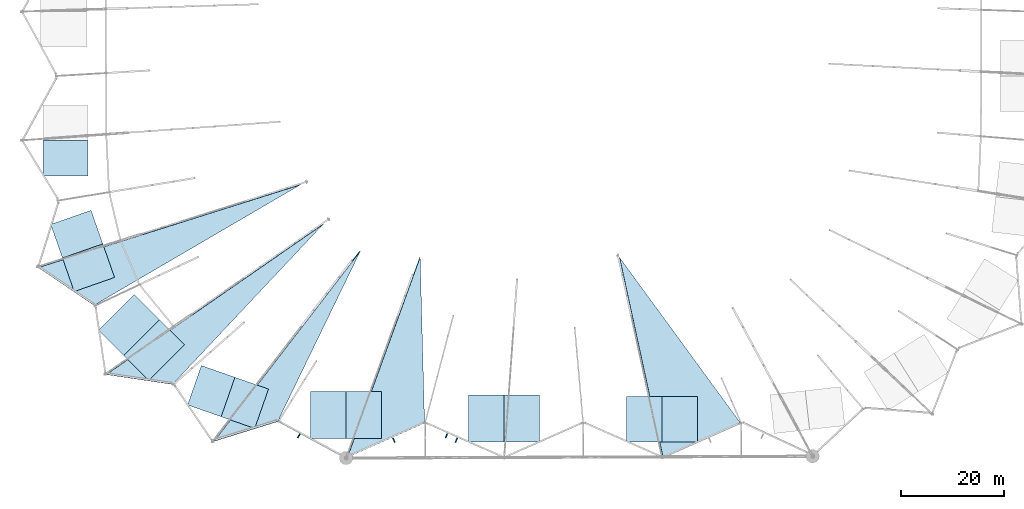
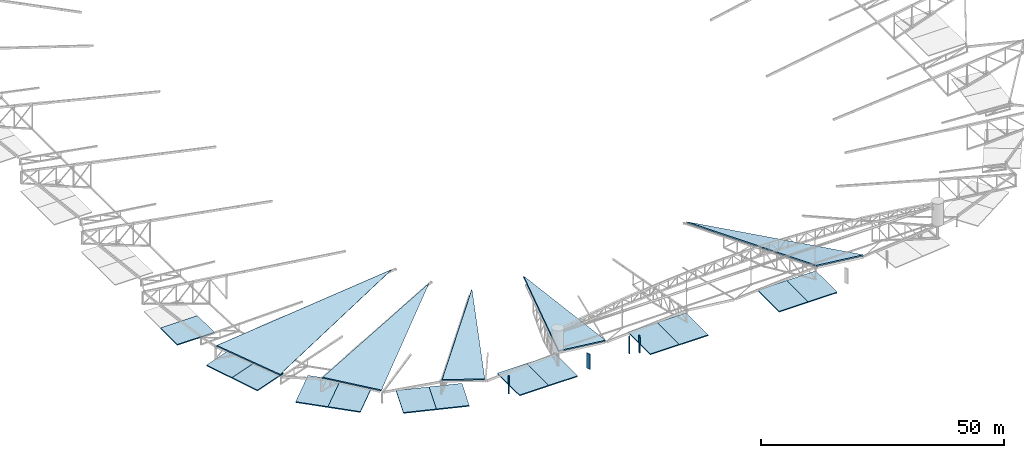
# One storey, part 115 of 188: 18 slabs, 4 plates.
"""IFC4 building model written with IfcOpenShell, lengths in metres."""

from ifc_helpers import new_model, si_unit, direction, frame, origin, origin_2d, place, context, subcontext, project, spatial, polyline, rectangle, outline, extrude, material, layer, layer_set, type_object, element, save


model = new_model("IFC4")

# Units and contexts
model_context = context("Model", 3, precision=1e-05, world=origin(), true_north=direction((0.0, 1.0)))
body_context = subcontext(model_context, "Body", "Model", "MODEL_VIEW")
ifc_project = project(units=[si_unit("LENGTHUNIT", "METRE"), si_unit("AREAUNIT", "SQUARE_METRE"), si_unit("VOLUMEUNIT", "CUBIC_METRE"), si_unit("PLANEANGLEUNIT", "RADIAN"), si_unit("MASSUNIT", "GRAM", prefix="KILO")], contexts=[model_context])

# Site, building, storey
site_placement = place(None, origin())
site = spatial("IfcSite", under=ifc_project, at=site_placement, CompositionType="ELEMENT")
building_placement = place(site_placement, origin())
building = spatial("IfcBuilding", under=site, at=building_placement, Name="Meseta Stadium", CompositionType="ELEMENT")
storey_placement = place(building_placement, frame((0.0, 0.0, 30.0)))
storey = spatial("IfcBuildingStorey", under=building, at=storey_placement, Name="ROOF", CompositionType="ELEMENT", Elevation=30.0)

# Slabs
ifc_material_1 = material(Name="Concrete C40/50", Category="concrete")
ifc_layer_1 = layer(ifc_material_1, 0.25)
ifc_layer_set_1 = layer_set([ifc_layer_1], Name="Core roof slab 250")
slab_type_1 = type_object("IfcSlabType", Name="Core roof slab 250", PredefinedType="ROOF", material=ifc_layer_set_1)
slab_1_placement = place(storey_placement, frame((0.0, 0.0, -0.25)))
element("IfcSlab", 1, at=slab_1_placement, inside=storey, type_object=slab_type_1, Name="Core 19 stair B roof", PredefinedType="ROOF", context=body_context, shape_type="SweptSolid", body=[
    extrude(outline(polyline([(-97.199951171875, -43.75), (-88.39990234375, -43.75), (-88.39990234375, -50.64990234375), (-97.199951171875, -50.64990234375), (-97.199951171875, -43.75)])), origin(), (0.0, 0.0, 1.0), 0.25),
])
slab_2_placement = place(storey_placement, frame((0.0, 0.0, -0.25)))
element("IfcSlab", 2, at=slab_2_placement, inside=storey, type_object=slab_type_1, Name="Core 20 stair A roof", PredefinedType="ROOF", context=body_context, shape_type="SweptSolid", body=[
    extrude(outline(polyline([(-95.661865234375, -60.067138671875), (-87.82763671875, -57.325927734375), (-85.548583984375, -63.838623046875), (-93.3828125, -66.580078125), (-95.661865234375, -60.067138671875)])), origin(), (0.0, 0.0, 1.0), 0.25),
])
slab_3_placement = place(storey_placement, frame((0.0, 0.0, -0.25)))
element("IfcSlab", 3, at=slab_3_placement, inside=storey, type_object=slab_type_1, Name="Core 20 stair B roof", PredefinedType="ROOF", context=body_context, shape_type="SweptSolid", body=[
    extrude(outline(polyline([(-93.3828125, -66.580078125), (-85.548583984375, -63.838623046875), (-83.269775390625, -70.3515625), (-91.10400390625, -73.0927734375), (-93.3828125, -66.580078125)])), origin(), (0.0, 0.0, 1.0), 0.25),
])
slab_4_placement = place(storey_placement, frame((0.0, 0.0, -0.25)))
element("IfcSlab", 4, at=slab_4_placement, inside=storey, type_object=slab_type_1, Name="Core 21 stair A roof", PredefinedType="ROOF", context=body_context, shape_type="SweptSolid", body=[
    extrude(outline(polyline([(-86.375732421875, -80.61767578125), (-79.4462890625, -73.68798828125), (-74.567138671875, -78.567138671875), (-81.496826171875, -85.496826171875), (-86.375732421875, -80.61767578125)])), origin(), (0.0, 0.0, 1.0), 0.25),
])
slab_5_placement = place(storey_placement, frame((0.0, 0.0, -0.25)))
element("IfcSlab", 5, at=slab_5_placement, inside=storey, type_object=slab_type_1, Name="Core 21 stair B roof", PredefinedType="ROOF", context=body_context, shape_type="SweptSolid", body=[
    extrude(outline(polyline([(-81.496826171875, -85.496826171875), (-74.567138671875, -78.567138671875), (-69.68798828125, -83.4462890625), (-76.61767578125, -90.375732421875), (-81.496826171875, -85.496826171875)])), origin(), (0.0, 0.0, 1.0), 0.25),
])
slab_6_placement = place(storey_placement, frame((0.0, 0.0, -0.25)))
element("IfcSlab", 6, at=slab_6_placement, inside=storey, type_object=slab_type_1, Name="Core 22 stair A roof", PredefinedType="ROOF", context=body_context, shape_type="SweptSolid", body=[
    extrude(outline(polyline([(-69.0927734375, -95.10400390625), (-66.41748046875, -87.45849609375), (-59.90478515625, -89.737548828125), (-62.580078125, -97.3828125), (-69.0927734375, -95.10400390625)])), origin(), (0.0, 0.0, 1.0), 0.25),
])
slab_7_placement = place(storey_placement, frame((0.0, 0.0, -0.25)))
element("IfcSlab", 7, at=slab_7_placement, inside=storey, type_object=slab_type_1, Name="Core 22 stair B roof", PredefinedType="ROOF", context=body_context, shape_type="SweptSolid", body=[
    extrude(outline(polyline([(-62.580078125, -97.3828125), (-59.90478515625, -89.737548828125), (-53.39208984375, -92.016357421875), (-56.067138671875, -99.661865234375), (-62.580078125, -97.3828125)])), origin(), (0.0, 0.0, 1.0), 0.25),
])
slab_8_placement = place(storey_placement, frame((0.0, 0.0, -0.25)))
element("IfcSlab", 8, at=slab_8_placement, inside=storey, type_object=slab_type_1, Name="Core 23 stair A roof", PredefinedType="ROOF", context=body_context, shape_type="SweptSolid", body=[
    extrude(outline(polyline([(-45.2333984375, -101.60009765625), (-45.2333984375, -92.5), (-38.333251953125, -92.5), (-38.333251953125, -101.60009765625), (-45.2333984375, -101.60009765625)])), origin(), (0.0, 0.0, 1.0), 0.25),
])
slab_9_placement = place(storey_placement, frame((0.0, 0.0, -0.25)))
element("IfcSlab", 9, at=slab_9_placement, inside=storey, type_object=slab_type_1, Name="Core 23 stair B roof", PredefinedType="ROOF", context=body_context, shape_type="SweptSolid", body=[
    extrude(outline(polyline([(-38.333251953125, -101.60009765625), (-38.333251953125, -92.5), (-31.433349609375, -92.5), (-31.433349609375, -101.60009765625), (-38.333251953125, -101.60009765625)])), origin(), (0.0, 0.0, 1.0), 0.25),
])
slab_10_placement = place(storey_placement, frame((0.0, 0.0, -0.25)))
element("IfcSlab", 10, at=slab_10_placement, inside=storey, type_object=slab_type_1, Name="Core 24 stair A roof", PredefinedType="ROOF", context=body_context, shape_type="SweptSolid", body=[
    extrude(outline(polyline([(-14.566650390625, -102.300048828125), (-14.566650390625, -93.199951171875), (-7.666748046875, -93.199951171875), (-7.666748046875, -102.300048828125), (-14.566650390625, -102.300048828125)])), origin(), (0.0, 0.0, 1.0), 0.25),
])
slab_11_placement = place(storey_placement, frame((0.0, 0.0, -0.25)))
element("IfcSlab", 11, at=slab_11_placement, inside=storey, type_object=slab_type_1, Name="Core 24 stair B roof", PredefinedType="ROOF", context=body_context, shape_type="SweptSolid", body=[
    extrude(outline(polyline([(-7.666748046875, -102.300048828125), (-7.666748046875, -93.199951171875), (-0.7666015625, -93.199951171875), (-0.7666015625, -102.300048828125), (-7.666748046875, -102.300048828125)])), origin(), (0.0, 0.0, 1.0), 0.25),
])
slab_12_placement = place(storey_placement, frame((0.0, 0.0, -0.25)))
element("IfcSlab", 12, at=slab_12_placement, inside=storey, type_object=slab_type_1, Name="Core 25 stair A roof", PredefinedType="ROOF", context=body_context, shape_type="SweptSolid", body=[
    extrude(outline(polyline([(16.10009765625, -102.300048828125), (16.10009765625, -93.5), (23.0, -93.5), (23.0, -102.300048828125), (16.10009765625, -102.300048828125)])), origin(), (0.0, 0.0, 1.0), 0.25),
])
slab_13_placement = place(storey_placement, frame((0.0, 0.0, -0.25)))
element("IfcSlab", 13, at=slab_13_placement, inside=storey, type_object=slab_type_1, Name="Core 25 stair B roof", PredefinedType="ROOF", context=body_context, shape_type="SweptSolid", body=[
    extrude(outline(polyline([(23.0, -102.300048828125), (23.0, -93.5), (29.89990234375, -93.5), (29.89990234375, -102.300048828125), (23.0, -102.300048828125)])), origin(), (0.0, 0.0, 1.0), 0.25),
])

# Plates
ifc_material_2 = material(Name="Precast concrete C40/50, terracotta pigment", Category="masonry")
ifc_layer_2 = layer(ifc_material_2, 0.199951171875)
ifc_layer_set_2 = layer_set([ifc_layer_2], Name="Precast concrete C40/50, terracotta pigment")
plate_type = type_object("IfcPlateType", Name="Precast fin 200x900", PredefinedType="USERDEFINED", material=ifc_layer_set_2)
for number, where, z_axis, x_axis, name in (
    (14, (-47.51220703125, -101.1181640625, 1.2001953125), (0.0, 0.0, 1.0), (-0.879141700714, 0.476560457933, 0.0), "Precast fin L04 F43.1"),
    (15, (-29.060302734375, -101.954833984375, 1.2001953125), (0.0, 0.0, 1.0), (-0.914139367606, -0.405400069798, 0.0), "Precast fin L04 F44.3"),
    (16, (-16.939697265625, -101.954833984375, 1.2001953125), (0.0, 0.0, 1.0), (-0.914139367606, 0.405400069798, 0.0), "Precast fin L04 F45.1"),
    (17, (-18.859375, -101.103515625, 1.2001953125), (0.0, 0.0, 1.0), (-0.914139367606, 0.405400069798, 0.0), "Precast fin L04 F45.2"),
):
    element("IfcPlate", number, at=place(storey_placement, frame(where, z_axis=z_axis, x_axis=x_axis)), inside=storey, type_object=plate_type, Name=name, ObjectType="FIN", PredefinedType="USERDEFINED", context=body_context, shape_type="SweptSolid", body=[
        extrude(rectangle(XDim=0.199951171875, YDim=0.89990234375, at=origin_2d()), origin(), (0.0, 0.0, 1.0), 3.800048828125),
    ])

# Slabs
ifc_material_3 = material(Name="Precast concrete C40/50", Category="concrete")
ifc_layer_3 = layer(ifc_material_3, 0.300048828125)
ifc_layer_set_3 = layer_set([ifc_layer_3], Name="Roof plate 300")
slab_type_2 = type_object("IfcSlabType", Name="Roof plate 300", PredefinedType="ROOF", material=ifc_layer_set_3)
slab_14_placement = place(storey_placement, frame((-47.17578125, -52.367431640625, 2.39111328125), z_axis=(0.27036758356, -0.392418190919, 0.879152622242), x_axis=(-0.941781167028, -0.297377949388, 0.156890371437)))
element("IfcSlab", 18, at=slab_14_placement, inside=storey, type_object=slab_type_2, Name="Roof panel RP-38 B", PredefinedType="ROOF", context=body_context, shape_type="SweptSolid", body=[
    extrude(outline(polyline([(0.0, 0.0), (54.05080587991632, -3.552713678800501e-15), (44.98412102899318, 11.554951400124965), (44.11839177677959, 11.333255405678186), (44.12881259864014, 11.300525896375525), (0.0, 0.0)])), origin(), (0.0, 0.0, -1.0), 0.300048828125),
])
slab_15_placement = place(storey_placement, frame((-42.7275390625, -59.99951171875, 2.012451171875), z_axis=(0.395665951975, -0.30925415168, 0.864760269737), x_axis=(-0.809986372119, -0.561307443447, 0.169870629928)))
element("IfcSlab", 19, at=slab_15_placement, inside=storey, type_object=slab_type_2, Name="Roof panel RP-40 B", PredefinedType="ROOF", context=body_context, shape_type="SweptSolid", body=[
    extrude(outline(polyline([(0.0, 0.0), (52.05097763659344, 8.881784197001252e-16), (41.536250384210035, 10.188333335582328), (40.72787246523928, 9.991056696663726), (40.74233992402059, 9.94710163651065), (0.0, 0.0)])), origin(), (0.0, 0.0, -1.0), 0.300048828125),
])
slab_16_placement = place(storey_placement, frame((-35.54638671875, -65.219482421875, 1.22509765625), z_axis=(0.500608621558, -0.164129887232, 0.849971992562), x_axis=(-0.597024921191, -0.776453244143, 0.201696809932)))
element("IfcSlab", 20, at=slab_16_placement, inside=storey, type_object=slab_type_2, Name="Roof panel RP-42 B", PredefinedType="ROOF", context=body_context, shape_type="SweptSolid", body=[
    extrude(outline(polyline([(0.0, 0.0), (47.615179768348526, -1.7763568394002505e-15), (35.87634052148259, 8.63428145697401), (35.153963564241316, 8.461477498522743), (35.17381810221746, 8.407697326620475), (0.0, 0.0)])), origin(), (0.0, 0.0, -1.0), 0.300048828125),
])
slab_17_placement = place(storey_placement, frame((-38.062255859375, -105.27978515625, 10.8798828125), z_axis=(0.366691979692, 0.098295146533, 0.925135155638), x_axis=(0.332116711382, 0.915051897968, -0.22886352712)))
element("IfcSlab", 21, at=slab_17_placement, inside=storey, type_object=slab_type_2, Name="Roof panel RP-44 B", PredefinedType="ROOF", context=body_context, shape_type="SweptSolid", body=[
    extrude(outline(polyline([(0.0, 0.0), (42.48979886287047, 1.7763568394002505e-15), (12.566353916793688, -12.423970576413879), (0.0, 0.0)])), origin(), (0.0, 0.0, -1.0), 0.300048828125),
])
slab_18_placement = place(storey_placement, frame((23.197998046875, -105.312255859375, 10.912109375), z_axis=(0.278903931921, 0.287404585009, 0.916303007348), x_axis=(-0.206703313763, 0.949766345631, -0.234984316045)))
element("IfcSlab", 22, at=slab_18_placement, inside=storey, type_object=slab_type_2, Name="Roof panel RP-48 B", PredefinedType="ROOF", context=body_context, shape_type="SweptSolid", body=[
    extrude(outline(polyline([(0.0, 0.0), (40.88433601052719, 4.440892098500626e-16), (4.79636796172818, -17.104480696142243), (0.0, 0.0)])), origin(), (0.0, 0.0, -1.0), 0.300048828125),
])

save(model, "model.ifc")
